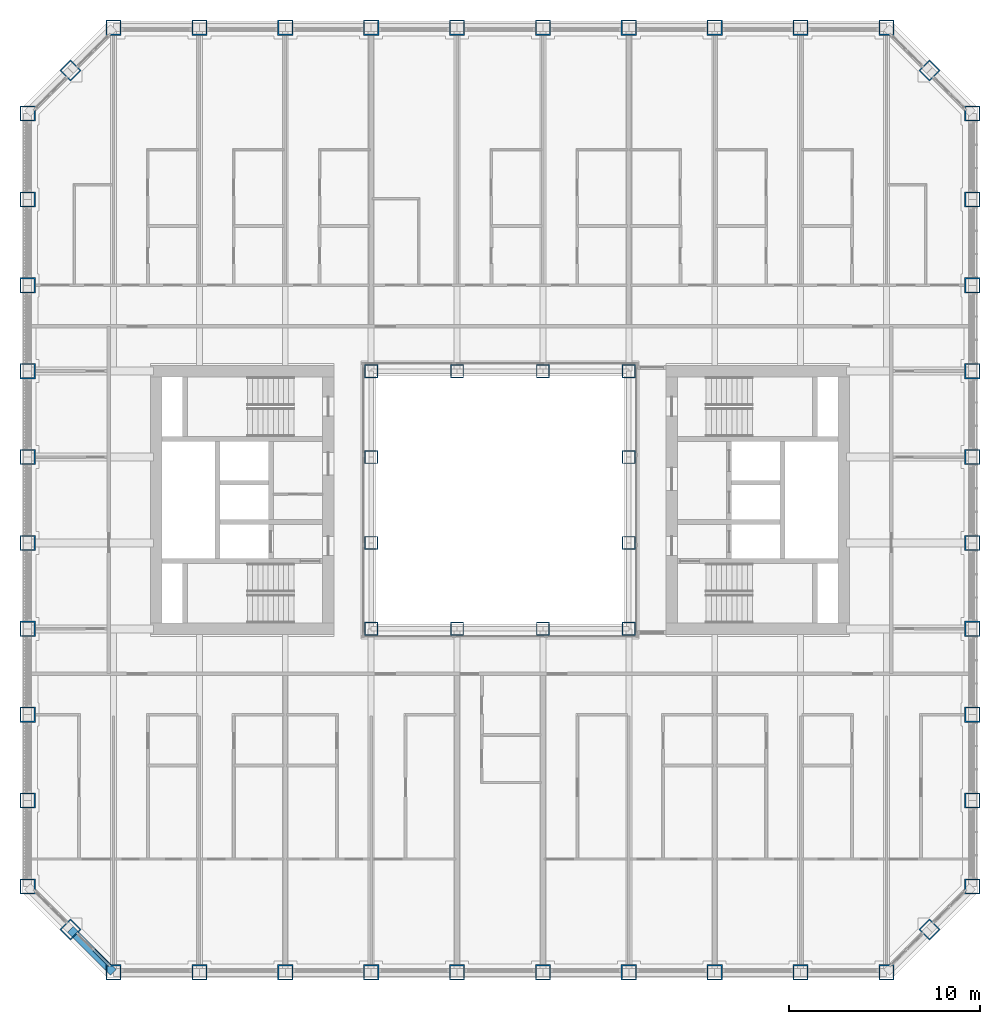
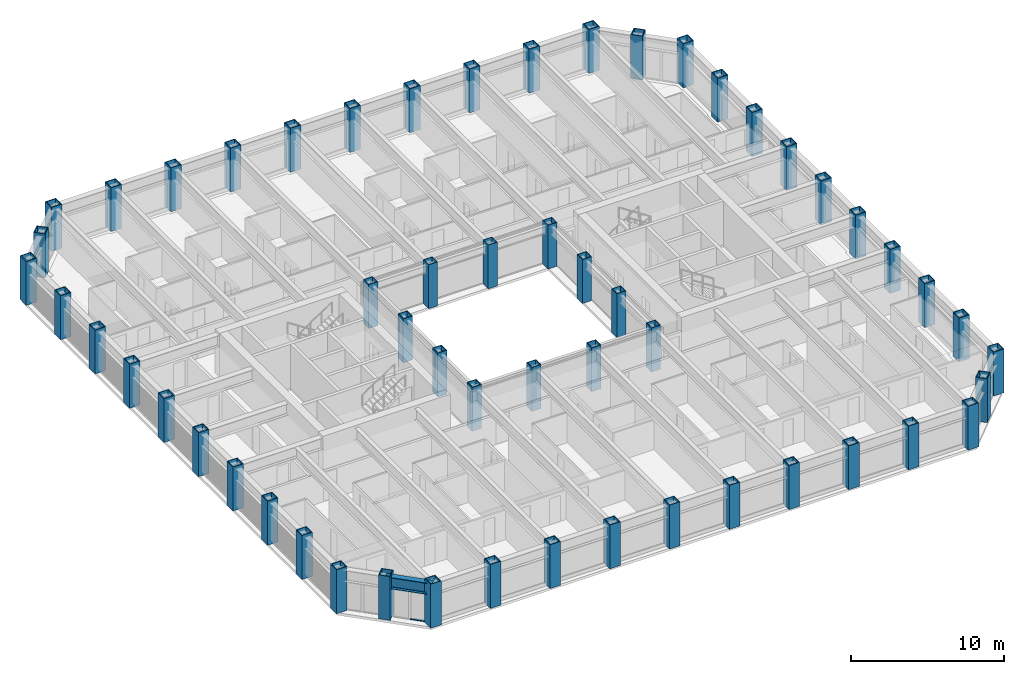
# One storey, part 1 of 21: 56 columns, 2 members, 1 beam, 1 element without a shape of its own.
"""IFC4 building model written with IfcOpenShell, lengths in metres."""

import ifcopenshell
import ifcopenshell.guid

model = None  # the IFC model being written
_history = None  # IfcOwnerHistory: only IFC2X3 demands one
_inside = {}  # id of a spatial element -> (the spatial element, [elements in it])
_under = {}  # id of a project, library or spatial element -> (it, [spatial elements below it])
_declared = {}  # id of a project -> (the project, [libraries it declares])
_typed = {}  # id of a type object -> (the type object, [elements of that type])
_made_of = {}  # id of a material, layer set ... -> (it, [elements and type objects made of it])


def new_model(schema):
    """Start an empty IFC model of exactly this schema.

    Asked for "IFC4X3", IfcOpenShell would pick the latest addendum, in which some entities
    have other attributes; the version numbers below select the first issue.
    IFC2X3 requires an IfcOwnerHistory on every rooted entity: one is made here for all.
    """
    global model, _history
    if schema == "IFC4X3":
        model = ifcopenshell.file(schema_version=(4, 3, 0, 0))
    else:
        model = ifcopenshell.file(schema=schema)
    _inside.clear()
    _under.clear()
    _declared.clear()
    _typed.clear()
    _made_of.clear()
    _history = None
    if model.schema == "IFC2X3":
        org = make("IfcOrganization", Name="unknown")
        user = make(
            "IfcPersonAndOrganization",
            ThePerson=make("IfcPerson", FamilyName="unknown"),
            TheOrganization=org,
        )
        app = make(
            "IfcApplication",
            ApplicationDeveloper=org,
            Version="unknown",
            ApplicationFullName="unknown",
            ApplicationIdentifier="unknown",
        )
        _history = make(
            "IfcOwnerHistory",
            OwningUser=user,
            OwningApplication=app,
            ChangeAction="ADDED",
            CreationDate=0,
        )
    return model


def make(cls, **values):
    """One entity of the class cls with the attributes given. An attribute that is None is left unset."""
    return model.create_entity(
        cls, **{name: value for name, value in values.items() if value is not None}
    )


def rooted(cls, **values):
    """An entity with a GlobalId (a new one), such as an element, a storey or a relation."""
    return make(cls, GlobalId=ifcopenshell.guid.new(), OwnerHistory=_history, **values)


def si_unit(unit_type, name, prefix=None):
    """IfcSIUnit, for example si_unit("LENGTHUNIT", "METRE", prefix="MILLI")."""
    return make("IfcSIUnit", UnitType=unit_type, Prefix=prefix, Name=name)


def assignment(units):
    """IfcUnitAssignment: the units of a project."""
    return None if units is None else make("IfcUnitAssignment", Units=units)


def point(xyz):
    """IfcCartesianPoint."""
    return None if xyz is None else make("IfcCartesianPoint", Coordinates=xyz)


def direction(xyz):
    """IfcDirection."""
    return None if xyz is None else make("IfcDirection", DirectionRatios=xyz)


def frame(location, z_axis=None, x_axis=None):
    """IfcAxis2Placement3D, a coordinate frame: its origin and axes. An axis left out is left unset."""
    return make(
        "IfcAxis2Placement3D",
        Location=point(location),
        Axis=direction(z_axis),
        RefDirection=direction(x_axis),
    )


def frame_2d(location, x_axis=None):
    """IfcAxis2Placement2D, a coordinate frame in the plane: its origin and x axis."""
    return make(
        "IfcAxis2Placement2D", Location=point(location), RefDirection=direction(x_axis)
    )


def origin():
    """The frame at (0, 0, 0) with its axes left unset."""
    return frame((0.0, 0.0, 0.0))


def origin_2d():
    """The frame at (0, 0) in the plane with its x axis left unset."""
    return frame_2d((0.0, 0.0))


def place(relative_to, where):
    """IfcLocalPlacement: puts the frame where relative to a parent placement (None: the world)."""
    return make(
        "IfcLocalPlacement", PlacementRelTo=relative_to, RelativePlacement=where
    )


def context(
    kind, dimensions, precision=None, world=None, true_north=None, identifier=None
):
    """IfcGeometricRepresentationContext, for example the 3D "Model" context."""
    return make(
        "IfcGeometricRepresentationContext",
        ContextIdentifier=identifier,
        ContextType=kind,
        CoordinateSpaceDimension=dimensions,
        Precision=precision,
        WorldCoordinateSystem=world,
        TrueNorth=true_north,
    )


def subcontext(parent, identifier, kind, view, scale=None):
    """IfcGeometricRepresentationSubContext, for example "Body" below "Model"."""
    return make(
        "IfcGeometricRepresentationSubContext",
        ContextIdentifier=identifier,
        ContextType=kind,
        ParentContext=parent,
        TargetScale=scale,
        TargetView=view,
    )


def project(units=None, contexts=None):
    """IfcProject with its units and contexts."""
    return rooted(
        "IfcProject",
        Name="project",
        RepresentationContexts=contexts,
        UnitsInContext=assignment(units),
    )


def spatial(cls, under=None, at=None, **own):
    """A site, building, storey or space (cls), placed at a placement, below another one or the project."""
    s = rooted(cls, ObjectPlacement=at, **own)
    if under is not None:
        _under.setdefault(under.id(), (under, []))[1].append(s)
    return s


def profile(cls, at=None, kind="AREA", **sizes):
    """A parametric profile (cls). Its sizes go by their IFC names, for example OverallWidth=200.0."""
    return make(cls, ProfileType=kind, Position=at, **sizes)


def rectangle(**sizes):
    """IfcRectangleProfileDef."""
    return profile("IfcRectangleProfileDef", **sizes)


def hollow_rectangle(**sizes):
    """IfcRectangleHollowProfileDef."""
    return profile("IfcRectangleHollowProfileDef", **sizes)


def i_section(**sizes):
    """IfcIShapeProfileDef."""
    return profile("IfcIShapeProfileDef", **sizes)


def extrude(swept, where, along, depth):
    """IfcExtrudedAreaSolid: the profile swept, set in the frame where, extruded along a direction by depth."""
    return make(
        "IfcExtrudedAreaSolid",
        SweptArea=swept,
        Position=where,
        ExtrudedDirection=direction(along),
        Depth=depth,
    )


def shape(context_of_items, identifier, shape_type, items):
    """IfcShapeRepresentation: the items that make up one representation, for example the "Body"."""
    return make(
        "IfcShapeRepresentation",
        ContextOfItems=context_of_items,
        RepresentationIdentifier=identifier,
        RepresentationType=shape_type,
        Items=items,
    )


def material(Name=None, Category=None):
    """IfcMaterial."""
    return make("IfcMaterial", Name=Name, Category=Category)


def material_profile(
    of_material, cross_section, Name=None, Category=None, Priority=None
):
    """IfcMaterialProfile: a cross section and its material."""
    return make(
        "IfcMaterialProfile",
        Name=Name,
        Material=of_material,
        Profile=cross_section,
        Priority=Priority,
        Category=Category,
    )


def profile_set(profiles, Name=None, composite=None):
    """IfcMaterialProfileSet."""
    return make(
        "IfcMaterialProfileSet",
        Name=Name,
        MaterialProfiles=profiles,
        CompositeProfile=composite,
    )


def made_of(thing, what):
    """Note that an element or type object is made of a material, layer set ...; save() writes the relation."""
    if what is not None:
        _made_of.setdefault(what.id(), (what, []))[1].append(thing)
    return thing


def type_object(cls, material=None, **own):
    """A type object (cls), such as IfcWallType, which elements share."""
    return made_of(rooted(cls, **own), material)


def element(
    cls,
    number,
    at=None,
    inside=None,
    cuts=None,
    type_object=None,
    material=None,
    context=None,
    identifier="Body",
    shape_type=None,
    held_by="IfcProductDefinitionShape",
    body=None,
    shapes=None,
    **own,
):
    """One element of the class cls, such as IfcWall. Its Tag is "e" and its number.

    at: its placement. inside: the storey or other place that contains it. cuts: it is an
    opening in that element (IfcRelVoidsElement). A single representation is given by context,
    identifier, shape_type and body (its items); several are given by shapes. held_by: the class
    of the entity that holds the representations. save() writes the other relations.
    """
    e = rooted(cls, Tag="e%d" % number, ObjectPlacement=at, **own)
    if body is not None:
        shapes = [shape(context, identifier, shape_type, body)]
    if shapes is not None:
        e.Representation = make(held_by, Representations=shapes)
    if inside is not None:
        _inside.setdefault(inside.id(), (inside, []))[1].append(e)
    if cuts is not None:
        rooted(
            "IfcRelVoidsElement", RelatingBuildingElement=cuts, RelatedOpeningElement=e
        )
    if type_object is not None:
        _typed.setdefault(type_object.id(), (type_object, []))[1].append(e)
    return made_of(e, material)


def aggregate(whole, parts):
    """IfcRelAggregates: a whole, such as a stair, and the parts it consists of."""
    return rooted("IfcRelAggregates", RelatingObject=whole, RelatedObjects=parts)


def save(model, path):
    """Write the relations noted so far, then the file.

    IfcRelAggregates (storeys below a building ...), IfcRelContainedInSpatialStructure (elements
    in a storey), IfcRelDefinesByType, IfcRelAssociatesMaterial and IfcRelDeclares: one each for
    every whole, place, type object, material and project.
    """
    for whole, parts in _under.values():
        aggregate(whole, parts)
    for where, things in _inside.values():
        rooted(
            "IfcRelContainedInSpatialStructure",
            RelatedElements=things,
            RelatingStructure=where,
        )
    for kind, things in _typed.values():
        rooted("IfcRelDefinesByType", RelatedObjects=things, RelatingType=kind)
    for what, things in _made_of.values():
        rooted("IfcRelAssociatesMaterial", RelatedObjects=things, RelatingMaterial=what)
    for by, libraries in _declared.values():
        rooted("IfcRelDeclares", RelatingContext=by, RelatedDefinitions=libraries)
    model.write(path)


model = new_model("IFC4")

# Units and contexts
model_context = context("Model", 3, precision=1e-05, world=origin(), true_north=direction((0.0, 1.0)))
body_context = subcontext(model_context, "Body", "Model", "MODEL_VIEW")
ifc_project = project(units=[si_unit("LENGTHUNIT", "METRE"), si_unit("AREAUNIT", "SQUARE_METRE"), si_unit("VOLUMEUNIT", "CUBIC_METRE"), si_unit("PLANEANGLEUNIT", "RADIAN"), si_unit("MASSUNIT", "GRAM", prefix="KILO")], contexts=[model_context])

# Site, building, storey
site_placement = place(None, origin())
site = spatial("IfcSite", under=ifc_project, at=site_placement, CompositionType="ELEMENT")
building_placement = place(site_placement, origin())
building = spatial("IfcBuilding", under=site, at=building_placement, Name="Msasa Ring Tower", CompositionType="ELEMENT")
storey_placement = place(building_placement, frame((0.0, 0.0, 75.5)))
storey = spatial("IfcBuildingStorey", under=building, at=storey_placement, Name="L19", CompositionType="ELEMENT", Elevation=75.5)

# Columns
ifc_material_1 = material(Name="Steel S355", Category="steel")
ifc_material_profile_1 = material_profile(ifc_material_1, hollow_rectangle(XDim=0.699951171875, YDim=0.699951171875, WallThickness=0.050048828125, at=origin_2d()), Name="BOX 700x700x50")
ifc_profile_set_1 = profile_set([ifc_material_profile_1], Name="Steel S355")
column_type_1 = type_object("IfcColumnType", Name="IC3 BOX 700x700x50", PredefinedType="COLUMN", material=ifc_profile_set_1)
for number, where, z_axis, x_axis, name in (
    (1, (-6.75, -6.75, 0.0), (0.0, 0.0, 1.0), (1.0, 0.0, 0.0), "Inner ring column IR-6.75-6.75 L19"),
    (2, (-6.75, -2.25, 0.0), (0.0, 0.0, 1.0), (1.0, 0.0, 0.0), "Inner ring column IR-6.75-2.25 L19"),
    (3, (-6.75, 2.25, 0.0), (0.0, 0.0, 1.0), (1.0, 0.0, 0.0), "Inner ring column IR-6.75+2.25 L19"),
    (4, (-6.75, 6.75, 0.0), (0.0, 0.0, 1.0), (1.0, 0.0, 0.0), "Inner ring column IR-6.75+6.75 L19"),
    (5, (-2.25, -6.75, 0.0), (0.0, 0.0, 1.0), (1.0, 0.0, 0.0), "Inner ring column IR-2.25-6.75 L19"),
    (6, (-2.25, 6.75, 0.0), (0.0, 0.0, 1.0), (1.0, 0.0, 0.0), "Inner ring column IR-2.25+6.75 L19"),
    (7, (2.25, -6.75, 0.0), (0.0, 0.0, 1.0), (1.0, 0.0, 0.0), "Inner ring column IR+2.25-6.75 L19"),
    (8, (2.25, 6.75, 0.0), (0.0, 0.0, 1.0), (1.0, 0.0, 0.0), "Inner ring column IR+2.25+6.75 L19"),
    (9, (6.75, -6.75, 0.0), (0.0, 0.0, 1.0), (1.0, 0.0, 0.0), "Inner ring column IR+6.75-6.75 L19"),
    (10, (6.75, -2.25, 0.0), (0.0, 0.0, 1.0), (1.0, 0.0, 0.0), "Inner ring column IR+6.75-2.25 L19"),
    (11, (6.75, 2.25, 0.0), (0.0, 0.0, 1.0), (1.0, 0.0, 0.0), "Inner ring column IR+6.75+2.25 L19"),
    (12, (6.75, 6.75, 0.0), (0.0, 0.0, 1.0), (1.0, 0.0, 0.0), "Inner ring column IR+6.75+6.75 L19"),
):
    element("IfcColumn", number, at=place(storey_placement, frame(where, z_axis=z_axis, x_axis=x_axis)), inside=storey, type_object=column_type_1, Name=name, PredefinedType="COLUMN", context=body_context, shape_type="SweptSolid", body=[
        extrude(hollow_rectangle(XDim=0.699951171875, YDim=0.699951171875, WallThickness=0.050048828125, at=origin_2d()), origin(), (0.0, 0.0, 1.0), 3.5),
    ])
ifc_material_2 = material(Name="Steel S355", Category="steel")
ifc_material_profile_2 = material_profile(ifc_material_2, hollow_rectangle(XDim=0.800048828125, YDim=0.800048828125, WallThickness=0.06005859375, at=origin_2d()), Name="BOX 800x800x60")
ifc_profile_set_2 = profile_set([ifc_material_profile_2], Name="Steel S355")
column_type_2 = type_object("IfcColumnType", Name="TC3 BOX 800x800x60", PredefinedType="COLUMN", material=ifc_profile_set_2)
for number, where, z_axis, x_axis, name in (
    (13, (-20.25, -24.75, 0.0), (0.0, 0.0, 1.0), (0.0, 1.0, 0.0), "Tube column S-20.25 L19"),
    (14, (-20.25, 24.75, 0.0), (0.0, 0.0, 1.0), (0.0, 1.0, 0.0), "Tube column N-20.25 L19"),
    (15, (24.75, -20.25, 0.0), (0.0, 0.0, 1.0), (1.0, 0.0, 0.0), "Tube column E-20.25 L19"),
    (16, (-24.75, -20.25, 0.0), (0.0, 0.0, 1.0), (1.0, 0.0, 0.0), "Tube column W-20.25 L19"),
    (17, (-15.75, -24.75, 0.0), (0.0, 0.0, 1.0), (0.0, 1.0, 0.0), "Tube column S-15.75 L19"),
    (18, (-15.75, 24.75, 0.0), (0.0, 0.0, 1.0), (0.0, 1.0, 0.0), "Tube column N-15.75 L19"),
    (19, (24.75, -15.75, 0.0), (0.0, 0.0, 1.0), (1.0, 0.0, 0.0), "Tube column E-15.75 L19"),
    (20, (-24.75, -15.75, 0.0), (0.0, 0.0, 1.0), (1.0, 0.0, 0.0), "Tube column W-15.75 L19"),
    (21, (-11.25, -24.75, 0.0), (0.0, 0.0, 1.0), (0.0, 1.0, 0.0), "Tube column S-11.25 L19"),
    (22, (-11.25, 24.75, 0.0), (0.0, 0.0, 1.0), (0.0, 1.0, 0.0), "Tube column N-11.25 L19"),
    (23, (24.75, -11.25, 0.0), (0.0, 0.0, 1.0), (1.0, 0.0, 0.0), "Tube column E-11.25 L19"),
    (24, (-24.75, -11.25, 0.0), (0.0, 0.0, 1.0), (1.0, 0.0, 0.0), "Tube column W-11.25 L19"),
    (25, (-6.75, -24.75, 0.0), (0.0, 0.0, 1.0), (0.0, 1.0, 0.0), "Tube column S-6.75 L19"),
    (26, (-6.75, 24.75, 0.0), (0.0, 0.0, 1.0), (0.0, 1.0, 0.0), "Tube column N-6.75 L19"),
    (27, (24.75, -6.75, 0.0), (0.0, 0.0, 1.0), (1.0, 0.0, 0.0), "Tube column E-6.75 L19"),
    (28, (-24.75, -6.75, 0.0), (0.0, 0.0, 1.0), (1.0, 0.0, 0.0), "Tube column W-6.75 L19"),
    (29, (-2.25, -24.75, 0.0), (0.0, 0.0, 1.0), (0.0, 1.0, 0.0), "Tube column S-2.25 L19"),
    (30, (-2.25, 24.75, 0.0), (0.0, 0.0, 1.0), (0.0, 1.0, 0.0), "Tube column N-2.25 L19"),
    (31, (24.75, -2.25, 0.0), (0.0, 0.0, 1.0), (1.0, 0.0, 0.0), "Tube column E-2.25 L19"),
    (32, (-24.75, -2.25, 0.0), (0.0, 0.0, 1.0), (1.0, 0.0, 0.0), "Tube column W-2.25 L19"),
    (33, (2.25, -24.75, 0.0), (0.0, 0.0, 1.0), (0.0, 1.0, 0.0), "Tube column S+2.25 L19"),
    (34, (2.25, 24.75, 0.0), (0.0, 0.0, 1.0), (0.0, 1.0, 0.0), "Tube column N+2.25 L19"),
    (35, (24.75, 2.25, 0.0), (0.0, 0.0, 1.0), (1.0, 0.0, 0.0), "Tube column E+2.25 L19"),
    (36, (-24.75, 2.25, 0.0), (0.0, 0.0, 1.0), (1.0, 0.0, 0.0), "Tube column W+2.25 L19"),
    (37, (6.75, -24.75, 0.0), (0.0, 0.0, 1.0), (0.0, 1.0, 0.0), "Tube column S+6.75 L19"),
    (38, (6.75, 24.75, 0.0), (0.0, 0.0, 1.0), (0.0, 1.0, 0.0), "Tube column N+6.75 L19"),
    (39, (24.75, 6.75, 0.0), (0.0, 0.0, 1.0), (1.0, 0.0, 0.0), "Tube column E+6.75 L19"),
    (40, (-24.75, 6.75, 0.0), (0.0, 0.0, 1.0), (1.0, 0.0, 0.0), "Tube column W+6.75 L19"),
    (41, (11.25, -24.75, 0.0), (0.0, 0.0, 1.0), (0.0, 1.0, 0.0), "Tube column S+11.25 L19"),
    (42, (11.25, 24.75, 0.0), (0.0, 0.0, 1.0), (0.0, 1.0, 0.0), "Tube column N+11.25 L19"),
    (43, (24.75, 11.25, 0.0), (0.0, 0.0, 1.0), (1.0, 0.0, 0.0), "Tube column E+11.25 L19"),
    (44, (-24.75, 11.25, 0.0), (0.0, 0.0, 1.0), (1.0, 0.0, 0.0), "Tube column W+11.25 L19"),
    (45, (15.75, -24.75, 0.0), (0.0, 0.0, 1.0), (0.0, 1.0, 0.0), "Tube column S+15.75 L19"),
    (46, (15.75, 24.75, 0.0), (0.0, 0.0, 1.0), (0.0, 1.0, 0.0), "Tube column N+15.75 L19"),
    (47, (24.75, 15.75, 0.0), (0.0, 0.0, 1.0), (1.0, 0.0, 0.0), "Tube column E+15.75 L19"),
    (48, (-24.75, 15.75, 0.0), (0.0, 0.0, 1.0), (1.0, 0.0, 0.0), "Tube column W+15.75 L19"),
    (49, (20.25, -24.75, 0.0), (0.0, 0.0, 1.0), (0.0, 1.0, 0.0), "Tube column S+20.25 L19"),
    (50, (20.25, 24.75, 0.0), (0.0, 0.0, 1.0), (0.0, 1.0, 0.0), "Tube column N+20.25 L19"),
    (51, (24.75, 20.25, 0.0), (0.0, 0.0, 1.0), (1.0, 0.0, 0.0), "Tube column E+20.25 L19"),
    (52, (-24.75, 20.25, 0.0), (0.0, 0.0, 1.0), (1.0, 0.0, 0.0), "Tube column W+20.25 L19"),
    (53, (22.5, -22.5, 0.0), (0.0, 0.0, 1.0), (0.707106781187, -0.707106781187, 0.0), "Tube column SE L19"),
    (54, (22.5, 22.5, 0.0), (0.0, 0.0, 1.0), (0.707106781187, 0.707106781187, 0.0), "Tube column NE L19"),
    (55, (-22.5, 22.5, 0.0), (0.0, 0.0, 1.0), (0.707106781187, -0.707106781187, 0.0), "Tube column NW L19"),
    (56, (-22.5, -22.5, 0.0), (0.0, 0.0, 1.0), (0.707106781187, 0.707106781187, 0.0), "Tube column SW L19"),
):
    element("IfcColumn", number, at=place(storey_placement, frame(where, z_axis=z_axis, x_axis=x_axis)), inside=storey, type_object=column_type_2, Name=name, PredefinedType="COLUMN", context=body_context, shape_type="SweptSolid", body=[
        extrude(hollow_rectangle(XDim=0.800048828125, YDim=0.800048828125, WallThickness=0.06005859375, at=origin_2d()), origin(), (0.0, 0.0, 1.0), 3.5),
    ])

# Curtain wall, members
ifc_material_3 = material(Name="Aluminium curtain wall with clear glass", Category="aluminium")
curtain_wall_type = type_object("IfcCurtainWallType", Name="CW-C CHAMFER CORNER CURTAIN WALL", PredefinedType="NOTDEFINED", material=ifc_material_3)
curtain_wall_placement = place(storey_placement, origin())
curtain_wall = element("IfcCurtainWall", 57, at=curtain_wall_placement, inside=storey, type_object=curtain_wall_type, Name="Chamfer corner curtain wall SW L19", PredefinedType="NOTDEFINED")
ifc_material_4 = material(Name="Aluminium transom", Category="aluminium")
ifc_material_profile_3 = material_profile(ifc_material_4, rectangle(XDim=0.139892578125, YDim=0.06494140625, at=origin_2d()), Name="AL 65x140")
ifc_profile_set_3 = profile_set([ifc_material_profile_3], Name="Aluminium transom")
member_type = type_object("IfcMemberType", Name="CW-C TRANSOM 65x140", PredefinedType="USERDEFINED", material=ifc_profile_set_3)
member_1_placement = place(storey_placement, frame((-21.28125, -23.577392578125, 0.032470703125), z_axis=(0.707106781187, -0.707106781187, 0.0), x_axis=(0.707106781187, 0.707106781187, 0.0)))
member_1 = element("IfcMember", 58, at=member_1_placement, type_object=member_type, Name="CW-C transom 2.1", ObjectType="TRANSOM", PredefinedType="USERDEFINED", context=body_context, shape_type="SweptSolid", body=[
    extrude(rectangle(XDim=0.139892578125, YDim=0.06494140625, at=origin_2d()), origin(), (0.0, 0.0, 1.0), 1.08837890625),
])
member_2_placement = place(storey_placement, frame((-21.28125, -23.577392578125, 2.346435546875), z_axis=(0.707106781187, -0.707106781187, 0.0), x_axis=(0.707106781187, 0.707106781187, 0.0)))
member_2 = element("IfcMember", 59, at=member_2_placement, type_object=member_type, Name="CW-C transom 2.2", ObjectType="TRANSOM", PredefinedType="USERDEFINED", context=body_context, shape_type="SweptSolid", body=[
    extrude(rectangle(XDim=0.139892578125, YDim=0.06494140625, at=origin_2d()), origin(), (0.0, 0.0, 1.0), 1.08837890625),
])
aggregate(curtain_wall, [member_1, member_2])

# Beam
ifc_material_5 = material(Name="Steel S355", Category="steel")
ifc_material_profile_4 = material_profile(ifc_material_5, i_section(OverallWidth=0.42041015625, OverallDepth=0.9208984375, WebThickness=0.021484375, FlangeThickness=0.03662109375, FilletRadius=0.024169921875, at=origin_2d()), Name="UB 914x419x388")
ifc_profile_set_4 = profile_set([ifc_material_profile_4], Name="Steel S355")
beam_type = type_object("IfcBeamType", Name="SB1 UB 914x419x388", PredefinedType="SPANDREL", material=ifc_profile_set_4)
beam_placement = place(storey_placement, frame((-22.5, -22.5, 2.839599609375), z_axis=(0.707106781187, -0.707106781187, 0.0), x_axis=(0.707106781187, 0.707106781187, 0.0)))
element("IfcBeam", 60, at=beam_placement, inside=storey, type_object=beam_type, Name="Spandrel SW to S-20.25 under L20", PredefinedType="SPANDREL", context=body_context, shape_type="SweptSolid", body=[
    extrude(i_section(OverallWidth=0.42041015625, OverallDepth=0.9208984375, WebThickness=0.021484375, FlangeThickness=0.03662109375, FilletRadius=0.024169921875, at=origin_2d()), origin(), (0.0, 0.0, 1.0), 3.181884765625),
])

save(model, "model.ifc")
